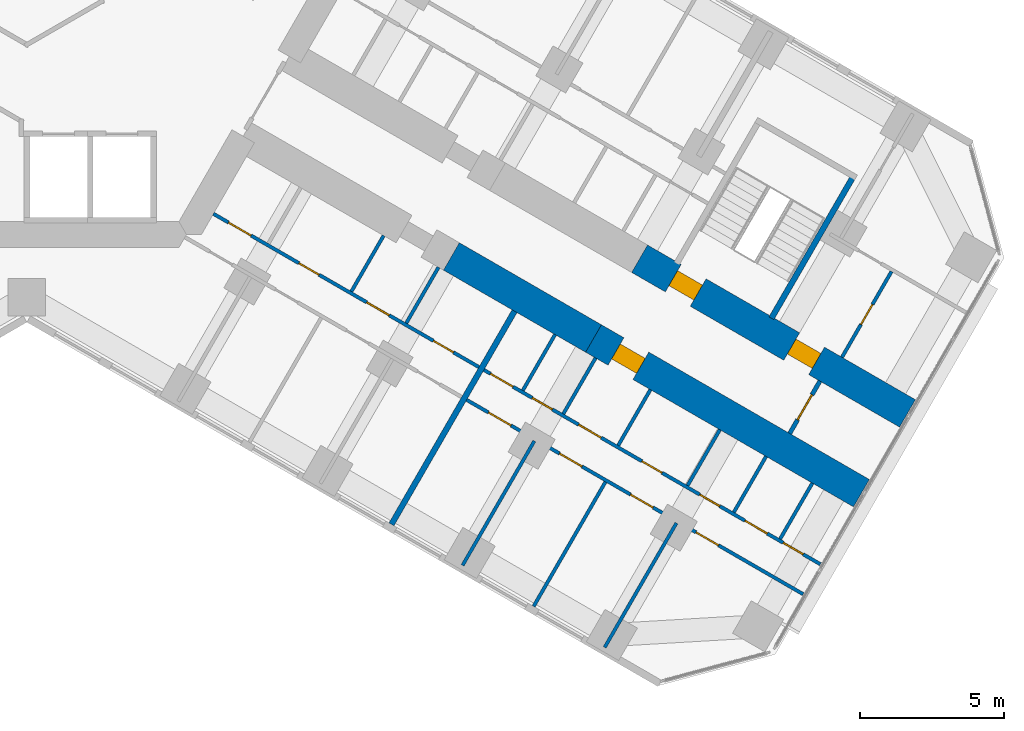
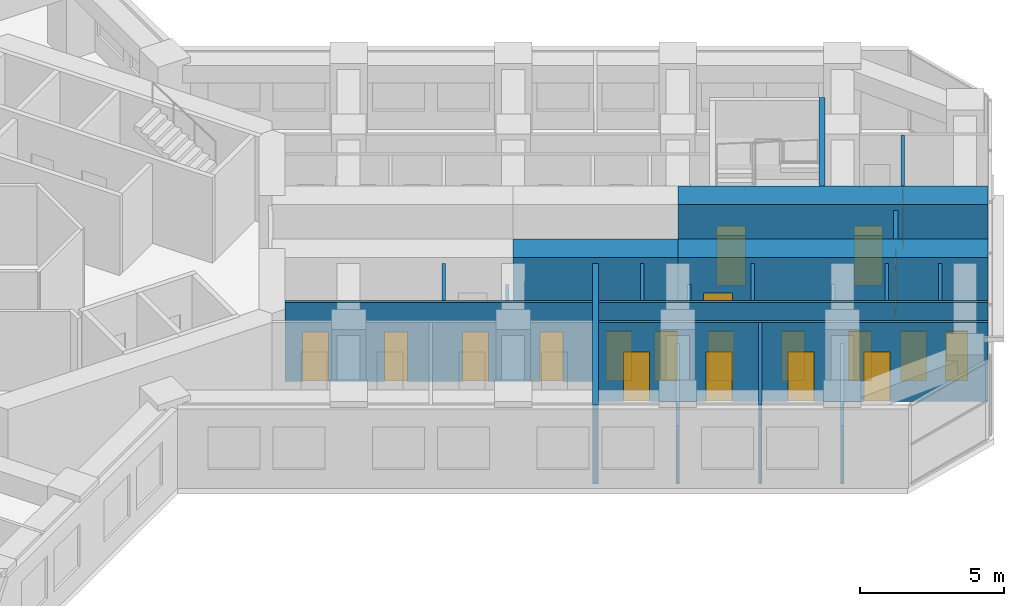
# One storey, part 14 of 19: 21 walls, 20 doors, 20 openings.
"""IFC4 building model written with IfcOpenShell, lengths in metres."""

from ifc_helpers import new_model, si_unit, direction, frame, frame_2d, origin, place, context, subcontext, project, spatial, rectangle, extrude, material, layer, layer_set, type_object, element, fill, save


model = new_model("IFC4")

# Units and contexts
model_context = context("Model", 3, precision=1e-05, world=origin(), true_north=direction((0.0, 1.0)))
body_context = subcontext(model_context, "Body", "Model", "MODEL_VIEW")
ifc_project = project(units=[si_unit("LENGTHUNIT", "METRE"), si_unit("AREAUNIT", "SQUARE_METRE"), si_unit("VOLUMEUNIT", "CUBIC_METRE"), si_unit("PLANEANGLEUNIT", "RADIAN"), si_unit("MASSUNIT", "GRAM", prefix="KILO")], contexts=[model_context])

# Site, building, storey
site_placement = place(None, origin())
site = spatial("IfcSite", under=ifc_project, at=site_placement, CompositionType="ELEMENT")
building_placement = place(site_placement, origin())
building = spatial("IfcBuilding", under=site, at=building_placement, Name="Kosmar Iwan School Tower", CompositionType="ELEMENT")
storey_placement = place(building_placement, frame((0.0, 0.0, 120.199951171875)))
storey = spatial("IfcBuildingStorey", under=building, at=storey_placement, Name="L29", CompositionType="ELEMENT", Elevation=120.199951171875)

# Wall, openings, doors
ifc_material_1 = material(Name="Concrete C50/60", Category="concrete")
ifc_layer_1 = layer(ifc_material_1, 1.10009765625)
ifc_layer_set_1 = layer_set([ifc_layer_1], Name="Corridor buttress wall 1100")
wall_type_1 = type_object("IfcWallType", Name="Corridor buttress wall 1100", PredefinedType="SHEAR", material=ifc_layer_set_1)
wall_1_placement = place(storey_placement, frame((21.281494140625, -10.439453125, 0.0), z_axis=(0.0, 0.0, 1.0), x_axis=(0.866032345022, -0.499987977232, 0.0)))
wall_1 = element("IfcWall", 1, at=wall_1_placement, inside=storey, type_object=wall_type_1, Name="Corridor wall CL bay 3", PredefinedType="SHEAR", context=body_context, shape_type="SweptSolid", body=[
    extrude(rectangle(XDim=10.744873046875, YDim=1.10009765625, at=frame_2d((5.37255859375, 0.0))), origin(), (0.0, 0.0, 1.0), 3.60009765625),
])
opening_1_placement = place(wall_1_placement, frame((6.10009765625, 0.0, 0.0)))
opening_1 = element("IfcOpeningElement", 2, at=opening_1_placement, cuts=wall_1, Name="Opening D1", PredefinedType="OPENING", context=body_context, shape_type="SweptSolid", body=[
    extrude(rectangle(XDim=1.0, YDim=2.10009765625, at=frame_2d((0.5, 1.050048828125))), frame((0.0, 0.56201171875, 0.0), z_axis=(0.0, -1.0, 0.0), x_axis=(1.0, 0.0, 0.0)), (0.0, 0.0, 1.0), 1.1240234375),
])
opening_2_placement = place(wall_1_placement, frame((1.35009765625, 0.0, 0.0)))
opening_2 = element("IfcOpeningElement", 3, at=opening_2_placement, cuts=wall_1, Name="Opening D6", PredefinedType="OPENING", context=body_context, shape_type="SweptSolid", body=[
    extrude(rectangle(XDim=1.0, YDim=2.10009765625, at=frame_2d((0.5, 1.050048828125))), frame((0.0, 0.56201171875, 0.0), z_axis=(0.0, -1.0, 0.0), x_axis=(1.0, 0.0, 0.0)), (0.0, 0.0, 1.0), 1.1240234375),
])
ifc_material_2 = material(Name="Timber fire door in steel frame", Category="steel")
door_type_1 = type_object("IfcDoorType", Name="Flat entrance door 1000x2100", OperationType="SINGLE_SWING_LEFT", PredefinedType="DOOR", material=ifc_material_2)
door_1_placement = place(opening_1_placement, origin())
door_1 = element("IfcDoor", 4, at=door_1_placement, inside=storey, type_object=door_type_1, Name="Flat L29-CL2 entrance door", OperationType="SINGLE_SWING_RIGHT", OverallHeight=2.10009765625, OverallWidth=1.0, PredefinedType="DOOR", context=body_context, shape_type="SweptSolid", body=[
    extrude(rectangle(XDim=1.0, YDim=2.10009765625, at=frame_2d((0.5, 1.050048828125))), frame((0.0, 0.300048828125, 0.0), z_axis=(0.0, -1.0, 0.0), x_axis=(1.0, 0.0, 0.0)), (0.0, 0.0, 1.0), 0.60009765625),
])
fill(opening_1, door_1)
ifc_material_3 = material(Name="Steel fire door", Category="steel")
door_type_2 = type_object("IfcDoorType", Name="Stair door 1000x2100", OperationType="SINGLE_SWING_LEFT", PredefinedType="DOOR", material=ifc_material_3)
door_2_placement = place(opening_2_placement, origin())
door_2 = element("IfcDoor", 5, at=door_2_placement, inside=storey, type_object=door_type_2, Name="Stair WS3 door L29", OperationType="SINGLE_SWING_LEFT", OverallHeight=2.10009765625, OverallWidth=1.0, PredefinedType="DOOR", context=body_context, shape_type="SweptSolid", body=[
    extrude(rectangle(XDim=1.0, YDim=2.10009765625, at=frame_2d((0.5, 1.050048828125))), frame((0.0, 0.300048828125, 0.0), z_axis=(0.0, -1.0, 0.0), x_axis=(1.0, 0.0, 0.0)), (0.0, 0.0, 1.0), 0.60009765625),
])
fill(opening_2, door_2)

# Wall
wall_2_placement = place(storey_placement, frame((14.7451171875, -10.360595703125, 0.0), z_axis=(0.0, 0.0, 1.0), x_axis=(0.866015111908, -0.50001782563, 0.0)))
element("IfcWall", 6, at=wall_2_placement, inside=storey, type_object=wall_type_1, Name="Corridor wall CR bay 2", PredefinedType="SHEAR", context=body_context, shape_type="SweptSolid", body=[
    extrude(rectangle(XDim=5.699951171875, YDim=1.10009765625, at=frame_2d((2.85009765625, 0.0))), origin(), (0.0, 0.0, 1.0), 3.60009765625),
])

# Wall, opening, door
wall_3_placement = place(storey_placement, frame((19.681396484375, -13.210693359375, 0.0), z_axis=(0.0, 0.0, 1.0), x_axis=(0.866028186671, -0.499995179869, 0.0)))
wall_3 = element("IfcWall", 7, at=wall_3_placement, inside=storey, type_object=wall_type_1, Name="Corridor wall CR bay 3", PredefinedType="SHEAR", context=body_context, shape_type="SweptSolid", body=[
    extrude(rectangle(XDim=10.7451171875, YDim=1.10009765625, at=frame_2d((5.37255859375, 0.0))), origin(), (0.0, 0.0, 1.0), 3.60009765625),
])
opening_3_placement = place(wall_3_placement, frame((0.89990234375, 0.0, 0.0)))
opening_3 = element("IfcOpeningElement", 8, at=opening_3_placement, cuts=wall_3, Name="Opening D1", PredefinedType="OPENING", context=body_context, shape_type="SweptSolid", body=[
    extrude(rectangle(XDim=1.0, YDim=2.10009765625, at=frame_2d((0.5, 1.050048828125))), frame((0.0, 0.56201171875, 0.0), z_axis=(0.0, -1.0, 0.0), x_axis=(1.0, 0.0, 0.0)), (0.0, 0.0, 1.0), 1.1240234375),
])
door_3_placement = place(opening_3_placement, origin())
door_3 = element("IfcDoor", 9, at=door_3_placement, inside=storey, type_object=door_type_1, Name="Flat L29-CR2 entrance door", OperationType="SINGLE_SWING_LEFT", OverallHeight=2.10009765625, OverallWidth=1.0, PredefinedType="DOOR", context=body_context, shape_type="SweptSolid", body=[
    extrude(rectangle(XDim=1.0, YDim=2.10009765625, at=frame_2d((0.5, 1.050048828125))), frame((0.0, 0.300048828125, 0.0), z_axis=(0.0, -1.0, 0.0), x_axis=(1.0, 0.0, 0.0)), (0.0, 0.0, 1.0), 0.60009765625),
])
fill(opening_3, door_3)

ifc_material_4 = material(Name="Gypsum board on steel studs, fire-rated", Category="steel")
ifc_layer_2 = layer(ifc_material_4, 0.14990234375)
ifc_layer_set_2 = layer_set([ifc_layer_2], Name="Corridor end wall 150")
wall_type_2 = type_object("IfcWallType", Name="Corridor end wall 150", PredefinedType="PARTITIONING", material=ifc_layer_set_2)
wall_4_placement = place(storey_placement, frame((26.494873046875, -16.50927734375, 0.0), z_axis=(0.0, 0.0, 1.0), x_axis=(0.500027713859, 0.866009402589, 0.0)))
wall_4 = element("IfcWall", 10, at=wall_4_placement, inside=storey, type_object=wall_type_2, Name="Partition L29-C-CE", PredefinedType="PARTITIONING", context=body_context, shape_type="SweptSolid", body=[
    extrude(rectangle(XDim=2.10009765625, YDim=0.14990234375, at=frame_2d((1.050048828125, 0.0))), origin(), (0.0, 0.0, 1.0), 3.35009765625),
])
opening_4_placement = place(wall_4_placement, frame((0.550048828125, 0.0, 0.0)))
opening_4 = element("IfcOpeningElement", 11, at=opening_4_placement, cuts=wall_4, Name="Opening D13", PredefinedType="OPENING", context=body_context, shape_type="SweptSolid", body=[
    extrude(rectangle(XDim=1.0, YDim=2.10009765625, at=frame_2d((0.5, 1.050048828125))), frame((0.0, 0.0869140625, 0.0), z_axis=(0.0, -1.0, 0.0), x_axis=(1.0, 0.0, 0.0)), (0.0, 0.0, 1.0), 0.173828125),
])
ifc_material_5 = material(Name="Timber fire door with vision panel", Category="wood")
door_type_3 = type_object("IfcDoorType", Name="Corridor end door 1000x2100", OperationType="SINGLE_SWING_LEFT", PredefinedType="DOOR", material=ifc_material_5)
door_4_placement = place(opening_4_placement, origin())
door_4 = element("IfcDoor", 12, at=door_4_placement, inside=storey, type_object=door_type_3, Name="Family study room door L29-C", OperationType="SINGLE_SWING_RIGHT", OverallHeight=2.10009765625, OverallWidth=1.0, PredefinedType="DOOR", context=body_context, shape_type="SweptSolid", body=[
    extrude(rectangle(XDim=1.0, YDim=2.10009765625, at=frame_2d((0.5, 1.050048828125))), frame((0.0, 0.02490234375, 0.0), z_axis=(0.0, -1.0, 0.0), x_axis=(1.0, 0.0, 0.0)), (0.0, 0.0, 1.0), 0.050048828125),
])
fill(opening_4, door_4)

ifc_material_6 = material(Name="Gypsum board on steel studs", Category="steel")
ifc_layer_3 = layer(ifc_material_6, 0.1201171875)
ifc_layer_set_3 = layer_set([ifc_layer_3], Name="Dwelling partition 120")
wall_type_3 = type_object("IfcWallType", Name="Dwelling partition 120", PredefinedType="PARTITIONING", material=ifc_layer_set_3)
wall_5_placement = place(storey_placement, frame((28.3115234375, -13.863037109375, 0.0), z_axis=(0.0, 0.0, 1.0), x_axis=(0.499978425106, 0.866037859697, 0.0)))
wall_5 = element("IfcWall", 13, at=wall_5_placement, inside=storey, type_object=wall_type_3, Name="Partition L29-CL2-TY", PredefinedType="PARTITIONING", context=body_context, shape_type="SweptSolid", body=[
    extrude(rectangle(XDim=3.440185546875, YDim=0.1201171875, at=frame_2d((1.72021484375, 0.0))), origin(), (0.0, 0.0, 1.0), 3.35009765625),
])
opening_5_placement = place(wall_5_placement, frame((1.320068359375, 0.0, 0.0)))
opening_5 = element("IfcOpeningElement", 14, at=opening_5_placement, cuts=wall_5, Name="Opening D3", PredefinedType="OPENING", context=body_context, shape_type="SweptSolid", body=[
    extrude(rectangle(XDim=0.800048828125, YDim=2.10009765625, at=frame_2d((0.39990234375, 1.050048828125))), frame((0.0, 0.072021484375, 0.0), z_axis=(0.0, -1.0, 0.0), x_axis=(1.0, 0.0, 0.0)), (0.0, 0.0, 1.0), 0.14404296875),
])
ifc_material_7 = material(Name="Timber door in timber frame", Category="wood")
door_type_4 = type_object("IfcDoorType", Name="Sanitary room door 800x2100", OperationType="SINGLE_SWING_LEFT", PredefinedType="DOOR", material=ifc_material_7)
door_5_placement = place(opening_5_placement, origin())
door_5 = element("IfcDoor", 15, at=door_5_placement, inside=storey, type_object=door_type_4, Name="Bathroom door L29-CL2-T4", OperationType="SINGLE_SWING_RIGHT", OverallHeight=2.10009765625, OverallWidth=0.800048828125, PredefinedType="DOOR", context=body_context, shape_type="SweptSolid", body=[
    extrude(rectangle(XDim=0.800048828125, YDim=2.10009765625, at=frame_2d((0.39990234375, 1.050048828125))), frame((0.0, 0.02490234375, 0.0), z_axis=(0.0, -1.0, 0.0), x_axis=(1.0, 0.0, 0.0)), (0.0, 0.0, 1.0), 0.050048828125),
])
fill(opening_5, door_5)

# Wall, openings, doors
wall_6_placement = place(storey_placement, frame((6.478515625, -8.87890625, 0.0), z_axis=(0.0, 0.0, 1.0), x_axis=(0.866026778288, -0.499997619282, 0.0)))
wall_6 = element("IfcWall", 16, at=wall_6_placement, inside=storey, type_object=wall_type_3, Name="Partition L29-CR1-W1", PredefinedType="PARTITIONING", context=body_context, shape_type="SweptSolid", body=[
    extrude(rectangle(XDim=10.64990234375, YDim=0.1201171875, at=frame_2d((5.324951171875, 0.0))), origin(), (0.0, 0.0, 1.0), 3.35009765625),
])
opening_6_placement = place(wall_6_placement, frame((0.610107421875, 0.0, 0.0)))
opening_6 = element("IfcOpeningElement", 17, at=opening_6_placement, cuts=wall_6, Name="Opening D2", PredefinedType="OPENING", context=body_context, shape_type="SweptSolid", body=[
    extrude(rectangle(XDim=0.89990234375, YDim=2.10009765625, at=frame_2d((0.449951171875, 1.050048828125))), frame((0.0, 0.072021484375, 0.0), z_axis=(0.0, -1.0, 0.0), x_axis=(1.0, 0.0, 0.0)), (0.0, 0.0, 1.0), 0.14404296875),
])
opening_7_placement = place(wall_6_placement, frame((3.43505859375, 0.0, 0.0)))
opening_7 = element("IfcOpeningElement", 18, at=opening_7_placement, cuts=wall_6, Name="Opening D3", PredefinedType="OPENING", context=body_context, shape_type="SweptSolid", body=[
    extrude(rectangle(XDim=0.800048828125, YDim=2.10009765625, at=frame_2d((0.39990234375, 1.050048828125))), frame((0.0, 0.072021484375, 0.0), z_axis=(0.0, -1.0, 0.0), x_axis=(1.0, 0.0, 0.0)), (0.0, 0.0, 1.0), 0.14404296875),
])
opening_8_placement = place(wall_6_placement, frame((6.14990234375, 0.0, 0.0)))
opening_8 = element("IfcOpeningElement", 19, at=opening_8_placement, cuts=wall_6, Name="Opening D2", PredefinedType="OPENING", context=body_context, shape_type="SweptSolid", body=[
    extrude(rectangle(XDim=0.89990234375, YDim=2.10009765625, at=frame_2d((0.449951171875, 1.050048828125))), frame((0.0, 0.072021484375, 0.0), z_axis=(0.0, -1.0, 0.0), x_axis=(1.0, 0.0, 0.0)), (0.0, 0.0, 1.0), 0.14404296875),
])
opening_9_placement = place(wall_6_placement, frame((8.824951171875, 0.0, 0.0)))
opening_9 = element("IfcOpeningElement", 20, at=opening_9_placement, cuts=wall_6, Name="Opening D3", PredefinedType="OPENING", context=body_context, shape_type="SweptSolid", body=[
    extrude(rectangle(XDim=0.800048828125, YDim=2.10009765625, at=frame_2d((0.39990234375, 1.050048828125))), frame((0.0, 0.072021484375, 0.0), z_axis=(0.0, -1.0, 0.0), x_axis=(1.0, 0.0, 0.0)), (0.0, 0.0, 1.0), 0.14404296875),
])
ifc_material_8 = material(Name="Timber door in timber frame", Category="wood")
door_type_5 = type_object("IfcDoorType", Name="Internal door 900x2100", OperationType="SINGLE_SWING_LEFT", PredefinedType="DOOR", material=ifc_material_8)
door_6_placement = place(opening_6_placement, origin())
door_6 = element("IfcDoor", 21, at=door_6_placement, inside=storey, type_object=door_type_5, Name="Pantry door L29-CR1-S1", OperationType="SINGLE_SWING_LEFT", OverallHeight=2.10009765625, OverallWidth=0.89990234375, PredefinedType="DOOR", context=body_context, shape_type="SweptSolid", body=[
    extrude(rectangle(XDim=0.89990234375, YDim=2.10009765625, at=frame_2d((0.449951171875, 1.050048828125))), frame((0.0, 0.02490234375, 0.0), z_axis=(0.0, -1.0, 0.0), x_axis=(1.0, 0.0, 0.0)), (0.0, 0.0, 1.0), 0.050048828125),
])
fill(opening_6, door_6)
door_7_placement = place(opening_8_placement, origin())
door_7 = element("IfcDoor", 22, at=door_7_placement, inside=storey, type_object=door_type_5, Name="Entrance hall door L29-CR1-S3", OperationType="SINGLE_SWING_LEFT", OverallHeight=2.10009765625, OverallWidth=0.89990234375, PredefinedType="DOOR", context=body_context, shape_type="SweptSolid", body=[
    extrude(rectangle(XDim=0.89990234375, YDim=2.10009765625, at=frame_2d((0.449951171875, 1.050048828125))), frame((0.0, 0.02490234375, 0.0), z_axis=(0.0, -1.0, 0.0), x_axis=(1.0, 0.0, 0.0)), (0.0, 0.0, 1.0), 0.050048828125),
])
fill(opening_8, door_7)
door_8_placement = place(opening_7_placement, origin())
door_8 = element("IfcDoor", 23, at=door_8_placement, inside=storey, type_object=door_type_4, Name="Bathroom door L29-CR1-S2", OperationType="SINGLE_SWING_RIGHT", OverallHeight=2.10009765625, OverallWidth=0.800048828125, PredefinedType="DOOR", context=body_context, shape_type="SweptSolid", body=[
    extrude(rectangle(XDim=0.800048828125, YDim=2.10009765625, at=frame_2d((0.39990234375, 1.050048828125))), frame((0.0, 0.02490234375, 0.0), z_axis=(0.0, -1.0, 0.0), x_axis=(1.0, 0.0, 0.0)), (0.0, 0.0, 1.0), 0.050048828125),
])
fill(opening_7, door_8)
door_9_placement = place(opening_9_placement, origin())
door_9 = element("IfcDoor", 24, at=door_9_placement, inside=storey, type_object=door_type_4, Name="WC door L29-CR1-S4", OperationType="SINGLE_SWING_RIGHT", OverallHeight=2.10009765625, OverallWidth=0.800048828125, PredefinedType="DOOR", context=body_context, shape_type="SweptSolid", body=[
    extrude(rectangle(XDim=0.800048828125, YDim=2.10009765625, at=frame_2d((0.39990234375, 1.050048828125))), frame((0.0, 0.02490234375, 0.0), z_axis=(0.0, -1.0, 0.0), x_axis=(1.0, 0.0, 0.0)), (0.0, 0.0, 1.0), 0.050048828125),
])
fill(opening_9, door_9)

# Walls
wall_7_placement = place(storey_placement, frame((12.3916015625, -9.636962890625, 0.0), z_axis=(0.0, 0.0, 1.0), x_axis=(-0.49994888933, -0.866054910533, 0.0)))
element("IfcWall", 25, at=wall_7_placement, inside=storey, type_object=wall_type_3, Name="Partition L29-CR1-Y2", PredefinedType="PARTITIONING", context=body_context, shape_type="SweptSolid", body=[
    extrude(rectangle(XDim=2.239990234375, YDim=0.1201171875, at=frame_2d((1.1201171875, 0.0))), origin(), (0.0, 0.0, 1.0), 3.35009765625),
])
wall_8_placement = place(storey_placement, frame((14.296875, -10.737060546875, 0.0), z_axis=(0.0, 0.0, 1.0), x_axis=(-0.49999608499, -0.866027664105, 0.0)))
element("IfcWall", 26, at=wall_8_placement, inside=storey, type_object=wall_type_3, Name="Partition L29-CR1-Y3", PredefinedType="PARTITIONING", context=body_context, shape_type="SweptSolid", body=[
    extrude(rectangle(XDim=2.23974609375, YDim=0.1201171875, at=frame_2d((1.119873046875, 0.0))), origin(), (0.0, 0.0, 1.0), 2.449951171875),
])

# Wall, openings, doors
wall_9_placement = place(storey_placement, frame((15.875, -14.3037109375, 0.0), z_axis=(0.0, 0.0, 1.0), x_axis=(0.866023503214, -0.50000329187, 0.0)))
wall_9 = element("IfcWall", 27, at=wall_9_placement, inside=storey, type_object=wall_type_3, Name="Partition L29-CR2-W1", PredefinedType="PARTITIONING", context=body_context, shape_type="SweptSolid", body=[
    extrude(rectangle(XDim=13.4951171875, YDim=0.1201171875, at=frame_2d((6.74755859375, 0.0))), origin(), (0.0, 0.0, 1.0), 3.35009765625),
])
opening_10_placement = place(wall_9_placement, frame((0.262451171875, 0.0, 0.0)))
opening_10 = element("IfcOpeningElement", 28, at=opening_10_placement, cuts=wall_9, Name="Opening D2", PredefinedType="OPENING", context=body_context, shape_type="SweptSolid", body=[
    extrude(rectangle(XDim=0.89990234375, YDim=2.10009765625, at=frame_2d((0.449951171875, 1.050048828125))), frame((0.0, 0.072021484375, 0.0), z_axis=(0.0, -1.0, 0.0), x_axis=(1.0, 0.0, 0.0)), (0.0, 0.0, 1.0), 0.14404296875),
])
opening_11_placement = place(wall_9_placement, frame((1.9375, 0.0, 0.0)))
opening_11 = element("IfcOpeningElement", 29, at=opening_11_placement, cuts=wall_9, Name="Opening D3", PredefinedType="OPENING", context=body_context, shape_type="SweptSolid", body=[
    extrude(rectangle(XDim=0.800048828125, YDim=2.10009765625, at=frame_2d((0.39990234375, 1.050048828125))), frame((0.0, 0.072021484375, 0.0), z_axis=(0.0, -1.0, 0.0), x_axis=(1.0, 0.0, 0.0)), (0.0, 0.0, 1.0), 0.14404296875),
])
opening_12_placement = place(wall_9_placement, frame((3.800048828125, 0.0, 0.0)))
opening_12 = element("IfcOpeningElement", 30, at=opening_12_placement, cuts=wall_9, Name="Opening D2", PredefinedType="OPENING", context=body_context, shape_type="SweptSolid", body=[
    extrude(rectangle(XDim=0.89990234375, YDim=2.10009765625, at=frame_2d((0.449951171875, 1.050048828125))), frame((0.0, 0.072021484375, 0.0), z_axis=(0.0, -1.0, 0.0), x_axis=(1.0, 0.0, 0.0)), (0.0, 0.0, 1.0), 0.14404296875),
])
opening_13_placement = place(wall_9_placement, frame((6.341796875, 0.0, 0.0)))
opening_13 = element("IfcOpeningElement", 31, at=opening_13_placement, cuts=wall_9, Name="Opening D3", PredefinedType="OPENING", context=body_context, shape_type="SweptSolid", body=[
    extrude(rectangle(XDim=0.800048828125, YDim=2.10009765625, at=frame_2d((0.39990234375, 1.050048828125))), frame((0.0, 0.072021484375, 0.0), z_axis=(0.0, -1.0, 0.0), x_axis=(1.0, 0.0, 0.0)), (0.0, 0.0, 1.0), 0.14404296875),
])
opening_14_placement = place(wall_9_placement, frame((8.6611328125, 0.0, 0.0)))
opening_14 = element("IfcOpeningElement", 32, at=opening_14_placement, cuts=wall_9, Name="Opening D3", PredefinedType="OPENING", context=body_context, shape_type="SweptSolid", body=[
    extrude(rectangle(XDim=0.800048828125, YDim=2.10009765625, at=frame_2d((0.39990234375, 1.050048828125))), frame((0.0, 0.072021484375, 0.0), z_axis=(0.0, -1.0, 0.0), x_axis=(1.0, 0.0, 0.0)), (0.0, 0.0, 1.0), 0.14404296875),
])
opening_15_placement = place(wall_9_placement, frame((10.466796875, 0.0, 0.0)))
opening_15 = element("IfcOpeningElement", 33, at=opening_15_placement, cuts=wall_9, Name="Opening D2", PredefinedType="OPENING", context=body_context, shape_type="SweptSolid", body=[
    extrude(rectangle(XDim=0.89990234375, YDim=2.10009765625, at=frame_2d((0.449951171875, 1.050048828125))), frame((0.0, 0.072021484375, 0.0), z_axis=(0.0, -1.0, 0.0), x_axis=(1.0, 0.0, 0.0)), (0.0, 0.0, 1.0), 0.14404296875),
])
opening_16_placement = place(wall_9_placement, frame((12.00439453125, 0.0, 0.0)))
opening_16 = element("IfcOpeningElement", 34, at=opening_16_placement, cuts=wall_9, Name="Opening D3", PredefinedType="OPENING", context=body_context, shape_type="SweptSolid", body=[
    extrude(rectangle(XDim=0.800048828125, YDim=2.10009765625, at=frame_2d((0.39990234375, 1.050048828125))), frame((0.0, 0.072021484375, 0.0), z_axis=(0.0, -1.0, 0.0), x_axis=(1.0, 0.0, 0.0)), (0.0, 0.0, 1.0), 0.14404296875),
])
door_10_placement = place(opening_10_placement, origin())
door_10 = element("IfcDoor", 35, at=door_10_placement, inside=storey, type_object=door_type_5, Name="Utility room door L29-CR2-S1", OperationType="SINGLE_SWING_LEFT", OverallHeight=2.10009765625, OverallWidth=0.89990234375, PredefinedType="DOOR", context=body_context, shape_type="SweptSolid", body=[
    extrude(rectangle(XDim=0.89990234375, YDim=2.10009765625, at=frame_2d((0.449951171875, 1.050048828125))), frame((0.0, 0.02490234375, 0.0), z_axis=(0.0, -1.0, 0.0), x_axis=(1.0, 0.0, 0.0)), (0.0, 0.0, 1.0), 0.050048828125),
])
fill(opening_10, door_10)
door_11_placement = place(opening_12_placement, origin())
door_11 = element("IfcDoor", 36, at=door_11_placement, inside=storey, type_object=door_type_5, Name="Entrance hall door L29-CR2-S3", OperationType="SINGLE_SWING_LEFT", OverallHeight=2.10009765625, OverallWidth=0.89990234375, PredefinedType="DOOR", context=body_context, shape_type="SweptSolid", body=[
    extrude(rectangle(XDim=0.89990234375, YDim=2.10009765625, at=frame_2d((0.449951171875, 1.050048828125))), frame((0.0, 0.02490234375, 0.0), z_axis=(0.0, -1.0, 0.0), x_axis=(1.0, 0.0, 0.0)), (0.0, 0.0, 1.0), 0.050048828125),
])
fill(opening_12, door_11)
door_12_placement = place(opening_15_placement, origin())
door_12 = element("IfcDoor", 37, at=door_12_placement, inside=storey, type_object=door_type_5, Name="Pantry door L29-CR2-S6", OperationType="SINGLE_SWING_RIGHT", OverallHeight=2.10009765625, OverallWidth=0.89990234375, PredefinedType="DOOR", context=body_context, shape_type="SweptSolid", body=[
    extrude(rectangle(XDim=0.89990234375, YDim=2.10009765625, at=frame_2d((0.449951171875, 1.050048828125))), frame((0.0, 0.02490234375, 0.0), z_axis=(0.0, -1.0, 0.0), x_axis=(1.0, 0.0, 0.0)), (0.0, 0.0, 1.0), 0.050048828125),
])
fill(opening_15, door_12)
door_13_placement = place(opening_11_placement, origin())
door_13 = element("IfcDoor", 38, at=door_13_placement, inside=storey, type_object=door_type_4, Name="WC door L29-CR2-S2", OperationType="SINGLE_SWING_RIGHT", OverallHeight=2.10009765625, OverallWidth=0.800048828125, PredefinedType="DOOR", context=body_context, shape_type="SweptSolid", body=[
    extrude(rectangle(XDim=0.800048828125, YDim=2.10009765625, at=frame_2d((0.39990234375, 1.050048828125))), frame((0.0, 0.02490234375, 0.0), z_axis=(0.0, -1.0, 0.0), x_axis=(1.0, 0.0, 0.0)), (0.0, 0.0, 1.0), 0.050048828125),
])
fill(opening_11, door_13)
door_14_placement = place(opening_13_placement, origin())
door_14 = element("IfcDoor", 39, at=door_14_placement, inside=storey, type_object=door_type_4, Name="Bathroom door L29-CR2-S4", OperationType="SINGLE_SWING_RIGHT", OverallHeight=2.10009765625, OverallWidth=0.800048828125, PredefinedType="DOOR", context=body_context, shape_type="SweptSolid", body=[
    extrude(rectangle(XDim=0.800048828125, YDim=2.10009765625, at=frame_2d((0.39990234375, 1.050048828125))), frame((0.0, 0.02490234375, 0.0), z_axis=(0.0, -1.0, 0.0), x_axis=(1.0, 0.0, 0.0)), (0.0, 0.0, 1.0), 0.050048828125),
])
fill(opening_13, door_14)
door_15_placement = place(opening_14_placement, origin())
door_15 = element("IfcDoor", 40, at=door_15_placement, inside=storey, type_object=door_type_4, Name="Shower room door L29-CR2-S5", OperationType="SINGLE_SWING_LEFT", OverallHeight=2.10009765625, OverallWidth=0.800048828125, PredefinedType="DOOR", context=body_context, shape_type="SweptSolid", body=[
    extrude(rectangle(XDim=0.800048828125, YDim=2.10009765625, at=frame_2d((0.39990234375, 1.050048828125))), frame((0.0, 0.02490234375, 0.0), z_axis=(0.0, -1.0, 0.0), x_axis=(1.0, 0.0, 0.0)), (0.0, 0.0, 1.0), 0.050048828125),
])
fill(opening_14, door_15)
door_16_placement = place(opening_16_placement, origin())
door_16 = element("IfcDoor", 41, at=door_16_placement, inside=storey, type_object=door_type_4, Name="Store door L29-CR2-S7", OperationType="SINGLE_SWING_LEFT", OverallHeight=2.10009765625, OverallWidth=0.800048828125, PredefinedType="DOOR", context=body_context, shape_type="SweptSolid", body=[
    extrude(rectangle(XDim=0.800048828125, YDim=2.10009765625, at=frame_2d((0.39990234375, 1.050048828125))), frame((0.0, 0.02490234375, 0.0), z_axis=(0.0, -1.0, 0.0), x_axis=(1.0, 0.0, 0.0)), (0.0, 0.0, 1.0), 0.050048828125),
])
fill(opening_16, door_16)

wall_10_placement = place(storey_placement, frame((15.27490234375, -15.343017578125, 0.0), z_axis=(0.0, 0.0, 1.0), x_axis=(0.866023503214, -0.50000329187, 0.0)))
wall_10 = element("IfcWall", 42, at=wall_10_placement, inside=storey, type_object=wall_type_3, Name="Partition L29-CR2-W2", PredefinedType="PARTITIONING", context=body_context, shape_type="SweptSolid", body=[
    extrude(rectangle(XDim=13.4951171875, YDim=0.1201171875, at=frame_2d((6.74755859375, 0.0))), origin(), (0.0, 0.0, 1.0), 3.35009765625),
])
opening_17_placement = place(wall_10_placement, frame((0.875, 0.0, 0.0)))
opening_17 = element("IfcOpeningElement", 43, at=opening_17_placement, cuts=wall_10, Name="Opening D2", PredefinedType="OPENING", context=body_context, shape_type="SweptSolid", body=[
    extrude(rectangle(XDim=0.89990234375, YDim=2.10009765625, at=frame_2d((0.449951171875, 1.050048828125))), frame((0.0, 0.072021484375, 0.0), z_axis=(0.0, -1.0, 0.0), x_axis=(1.0, 0.0, 0.0)), (0.0, 0.0, 1.0), 0.14404296875),
])
opening_18_placement = place(wall_10_placement, frame((3.72509765625, 0.0, 0.0)))
opening_18 = element("IfcOpeningElement", 44, at=opening_18_placement, cuts=wall_10, Name="Opening D2", PredefinedType="OPENING", context=body_context, shape_type="SweptSolid", body=[
    extrude(rectangle(XDim=0.89990234375, YDim=2.10009765625, at=frame_2d((0.449951171875, 1.050048828125))), frame((0.0, 0.072021484375, 0.0), z_axis=(0.0, -1.0, 0.0), x_axis=(1.0, 0.0, 0.0)), (0.0, 0.0, 1.0), 0.14404296875),
])
opening_19_placement = place(wall_10_placement, frame((6.574951171875, 0.0, 0.0)))
opening_19 = element("IfcOpeningElement", 45, at=opening_19_placement, cuts=wall_10, Name="Opening D2", PredefinedType="OPENING", context=body_context, shape_type="SweptSolid", body=[
    extrude(rectangle(XDim=0.89990234375, YDim=2.10009765625, at=frame_2d((0.449951171875, 1.050048828125))), frame((0.0, 0.072021484375, 0.0), z_axis=(0.0, -1.0, 0.0), x_axis=(1.0, 0.0, 0.0)), (0.0, 0.0, 1.0), 0.14404296875),
])
opening_20_placement = place(wall_10_placement, frame((9.199951171875, 0.0, 0.0)))
opening_20 = element("IfcOpeningElement", 46, at=opening_20_placement, cuts=wall_10, Name="Opening D2", PredefinedType="OPENING", context=body_context, shape_type="SweptSolid", body=[
    extrude(rectangle(XDim=0.89990234375, YDim=2.10009765625, at=frame_2d((0.449951171875, 1.050048828125))), frame((0.0, 0.072021484375, 0.0), z_axis=(0.0, -1.0, 0.0), x_axis=(1.0, 0.0, 0.0)), (0.0, 0.0, 1.0), 0.14404296875),
])
door_17_placement = place(opening_17_placement, origin())
door_17 = element("IfcDoor", 47, at=door_17_placement, inside=storey, type_object=door_type_5, Name="Study door L29-CR2-F1", OperationType="SINGLE_SWING_LEFT", OverallHeight=2.10009765625, OverallWidth=0.89990234375, PredefinedType="DOOR", context=body_context, shape_type="SweptSolid", body=[
    extrude(rectangle(XDim=0.89990234375, YDim=2.10009765625, at=frame_2d((0.449951171875, 1.050048828125))), frame((0.0, 0.02490234375, 0.0), z_axis=(0.0, -1.0, 0.0), x_axis=(1.0, 0.0, 0.0)), (0.0, 0.0, 1.0), 0.050048828125),
])
fill(opening_17, door_17)
door_18_placement = place(opening_18_placement, origin())
door_18 = element("IfcDoor", 48, at=door_18_placement, inside=storey, type_object=door_type_5, Name="Bedroom 1 door L29-CR2-F2", OperationType="SINGLE_SWING_LEFT", OverallHeight=2.10009765625, OverallWidth=0.89990234375, PredefinedType="DOOR", context=body_context, shape_type="SweptSolid", body=[
    extrude(rectangle(XDim=0.89990234375, YDim=2.10009765625, at=frame_2d((0.449951171875, 1.050048828125))), frame((0.0, 0.02490234375, 0.0), z_axis=(0.0, -1.0, 0.0), x_axis=(1.0, 0.0, 0.0)), (0.0, 0.0, 1.0), 0.050048828125),
])
fill(opening_18, door_18)
door_19_placement = place(opening_19_placement, origin())
door_19 = element("IfcDoor", 49, at=door_19_placement, inside=storey, type_object=door_type_5, Name="Bedroom 2 door L29-CR2-F3", OperationType="SINGLE_SWING_RIGHT", OverallHeight=2.10009765625, OverallWidth=0.89990234375, PredefinedType="DOOR", context=body_context, shape_type="SweptSolid", body=[
    extrude(rectangle(XDim=0.89990234375, YDim=2.10009765625, at=frame_2d((0.449951171875, 1.050048828125))), frame((0.0, 0.02490234375, 0.0), z_axis=(0.0, -1.0, 0.0), x_axis=(1.0, 0.0, 0.0)), (0.0, 0.0, 1.0), 0.050048828125),
])
fill(opening_19, door_19)
door_20_placement = place(opening_20_placement, origin())
door_20 = element("IfcDoor", 50, at=door_20_placement, inside=storey, type_object=door_type_5, Name="Living room and kitchen door L29-CR2-F4", OperationType="SINGLE_SWING_RIGHT", OverallHeight=2.10009765625, OverallWidth=0.89990234375, PredefinedType="DOOR", context=body_context, shape_type="SweptSolid", body=[
    extrude(rectangle(XDim=0.89990234375, YDim=2.10009765625, at=frame_2d((0.449951171875, 1.050048828125))), frame((0.0, 0.02490234375, 0.0), z_axis=(0.0, -1.0, 0.0), x_axis=(1.0, 0.0, 0.0)), (0.0, 0.0, 1.0), 0.050048828125),
])
fill(opening_20, door_20)

# Walls
wall_11_placement = place(storey_placement, frame((17.62646484375, -16.77001953125, 0.0), z_axis=(0.0, 0.0, 1.0), x_axis=(-0.499975153383, -0.86603974851, 0.0)))
element("IfcWall", 51, at=wall_11_placement, inside=storey, type_object=wall_type_3, Name="Partition L29-CR2-X1", PredefinedType="PARTITIONING", context=body_context, shape_type="SweptSolid", body=[
    extrude(rectangle(XDim=4.989990234375, YDim=0.1201171875, at=frame_2d((2.4951171875, 0.0))), origin(), (0.0, 0.0, 1.0), 2.449951171875),
])
wall_12_placement = place(storey_placement, frame((20.0947265625, -18.195068359375, 0.0), z_axis=(0.0, 0.0, 1.0), x_axis=(-0.500011847778, -0.866018563358, 0.0)))
element("IfcWall", 52, at=wall_12_placement, inside=storey, type_object=wall_type_3, Name="Partition L29-CR2-X2", PredefinedType="PARTITIONING", context=body_context, shape_type="SweptSolid", body=[
    extrude(rectangle(XDim=4.990234375, YDim=0.1201171875, at=frame_2d((2.4951171875, 0.0))), origin(), (0.0, 0.0, 1.0), 3.35009765625),
])
wall_13_placement = place(storey_placement, frame((22.562744140625, -19.6201171875, 0.0), z_axis=(0.0, 0.0, 1.0), x_axis=(-0.499996339024, -0.86602751744, 0.0)))
element("IfcWall", 53, at=wall_13_placement, inside=storey, type_object=wall_type_3, Name="Partition L29-CR2-X3", PredefinedType="PARTITIONING", context=body_context, shape_type="SweptSolid", body=[
    extrude(rectangle(XDim=4.98974609375, YDim=0.1201171875, at=frame_2d((2.494873046875, 0.0))), origin(), (0.0, 0.0, 1.0), 2.449951171875),
])
wall_14_placement = place(storey_placement, frame((18.345703125, -13.074462890625, 0.0), z_axis=(0.0, 0.0, 1.0), x_axis=(-0.500030632641, -0.866007717299, 0.0)))
element("IfcWall", 54, at=wall_14_placement, inside=storey, type_object=wall_type_3, Name="Partition L29-CR2-Y1", PredefinedType="PARTITIONING", context=body_context, shape_type="SweptSolid", body=[
    extrude(rectangle(XDim=2.239990234375, YDim=0.1201171875, at=frame_2d((1.1201171875, 0.0))), origin(), (0.0, 0.0, 1.0), 3.35009765625),
])
wall_15_placement = place(storey_placement, frame((19.7529296875, -13.886962890625, 0.0), z_axis=(0.0, 0.0, 1.0), x_axis=(-0.500030632641, -0.866007717299, 0.0)))
element("IfcWall", 55, at=wall_15_placement, inside=storey, type_object=wall_type_3, Name="Partition L29-CR2-Y2", PredefinedType="PARTITIONING", context=body_context, shape_type="SweptSolid", body=[
    extrude(rectangle(XDim=2.239990234375, YDim=0.1201171875, at=frame_2d((1.1201171875, 0.0))), origin(), (0.0, 0.0, 1.0), 2.449951171875),
])
wall_16_placement = place(storey_placement, frame((21.658203125, -14.987060546875, 0.0), z_axis=(0.0, 0.0, 1.0), x_axis=(-0.500077830873, -0.865980463445, 0.0)))
element("IfcWall", 56, at=wall_16_placement, inside=storey, type_object=wall_type_3, Name="Partition L29-CR2-Y3", PredefinedType="PARTITIONING", context=body_context, shape_type="SweptSolid", body=[
    extrude(rectangle(XDim=2.239990234375, YDim=0.1201171875, at=frame_2d((1.1201171875, 0.0))), origin(), (0.0, 0.0, 1.0), 3.35009765625),
])
wall_17_placement = place(storey_placement, frame((24.068603515625, -16.378662109375, 0.0), z_axis=(0.0, 0.0, 1.0), x_axis=(-0.500030632641, -0.866007717299, 0.0)))
element("IfcWall", 57, at=wall_17_placement, inside=storey, type_object=wall_type_3, Name="Partition L29-CR2-Y4", PredefinedType="PARTITIONING", context=body_context, shape_type="SweptSolid", body=[
    extrude(rectangle(XDim=2.239990234375, YDim=0.1201171875, at=frame_2d((1.1201171875, 0.0))), origin(), (0.0, 0.0, 1.0), 2.449951171875),
])
for number, where, z_axis, x_axis, name in (
    (58, (25.675537109375, -17.306396484375, 0.0), (0.0, 0.0, 1.0), (-0.49994888933, -0.866054910533, 0.0), "Partition L29-CR2-Y5"),
    (59, (27.282470703125, -18.234130859375, 0.0), (0.0, 0.0, 1.0), (-0.49994888933, -0.866054910533, 0.0), "Partition L29-CR2-Y6"),
):
    element("IfcWall", number, at=place(storey_placement, frame(where, z_axis=z_axis, x_axis=x_axis)), inside=storey, type_object=wall_type_3, Name=name, PredefinedType="PARTITIONING", context=body_context, shape_type="SweptSolid", body=[
        extrude(rectangle(XDim=2.239990234375, YDim=0.1201171875, at=frame_2d((1.1201171875, 0.0))), origin(), (0.0, 0.0, 1.0), 3.35009765625),
    ])
ifc_material_9 = material(Name="Concrete C35/45", Category="concrete")
ifc_layer_4 = layer(ifc_material_9, 0.199951171875)
ifc_layer_set_4 = layer_set([ifc_layer_4], Name="Escape stair wall 200")
wall_type_4 = type_object("IfcWallType", Name="Escape stair wall 200", PredefinedType="SHEAR", material=ifc_layer_set_4)
wall_18_placement = place(storey_placement, frame((25.861572265625, -12.50634765625, 0.0), z_axis=(0.0, 0.0, 1.0), x_axis=(0.500018801468, 0.86601454848, 0.0)))
element("IfcWall", 60, at=wall_18_placement, inside=storey, type_object=wall_type_4, Name="Stair WS3 wall", PredefinedType="SHEAR", context=body_context, shape_type="SweptSolid", body=[
    extrude(rectangle(XDim=5.800048828125, YDim=0.199951171875, at=frame_2d((2.89990234375, 0.0))), origin(), (0.0, 0.0, 1.0), 3.330078125),
])
ifc_material_10 = material(Name="Concrete block masonry", Category="masonry")
ifc_layer_5 = layer(ifc_material_10, 0.199951171875)
ifc_layer_set_5 = layer_set([ifc_layer_5], Name="Party wall 200")
wall_type_5 = type_object("IfcWallType", Name="Party wall 200", PredefinedType="PARTITIONING", material=ifc_layer_set_5)
wall_19_placement = place(storey_placement, frame((16.938232421875, -12.261962890625, 0.0), z_axis=(0.0, 0.0, 1.0), x_axis=(-0.499990227581, -0.86603104582, 0.0)))
element("IfcWall", 61, at=wall_19_placement, inside=storey, type_object=wall_type_5, Name="Partition L29-CR2-PW", PredefinedType="PARTITIONING", context=body_context, shape_type="SweptSolid", body=[
    extrude(rectangle(XDim=8.550048828125, YDim=0.199951171875, at=frame_2d((4.27490234375, 0.0))), origin(), (0.0, 0.0, 1.0), 3.35009765625),
])

save(model, "model.ifc")
